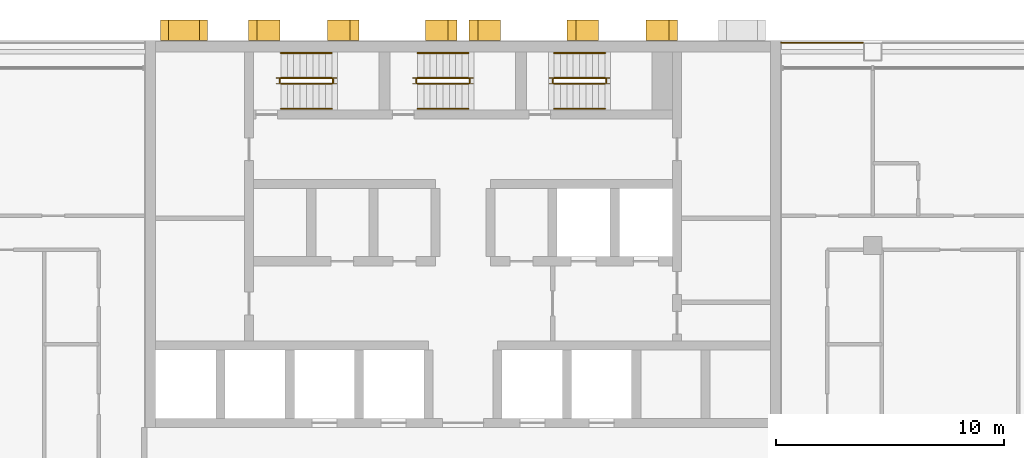
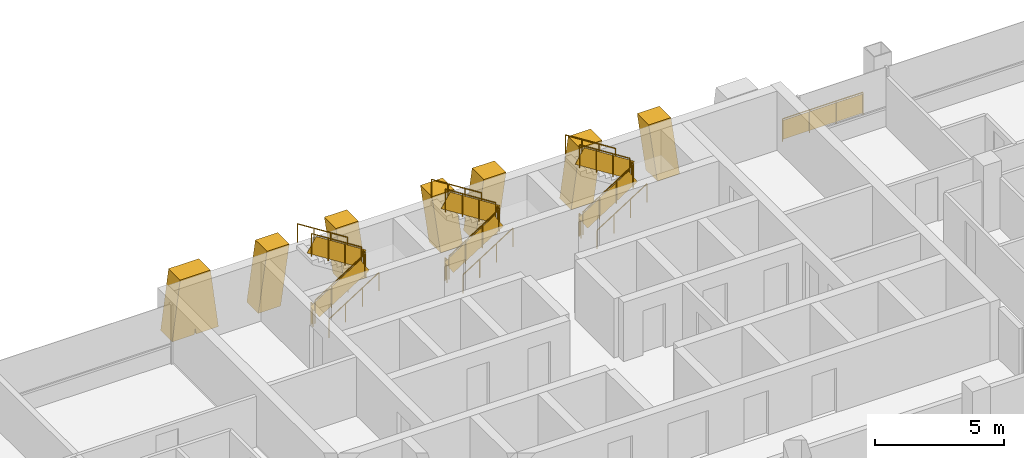
# One storey, part 16 of 17: 19 railings, 7 shading devices.
"""IFC4 building model written with IfcOpenShell, lengths in metres."""

from ifc_helpers import new_model, si_unit, direction, frame, origin, origin_2d, place, context, subcontext, project, spatial, polyline, rectangle, circle, outline, extrude, material, layer, layer_set, type_object, element, save


model = new_model("IFC4")

# Units and contexts
model_context = context("Model", 3, precision=1e-05, world=origin(), true_north=direction((0.0, 1.0)))
body_context = subcontext(model_context, "Body", "Model", "MODEL_VIEW")
ifc_project = project(units=[si_unit("LENGTHUNIT", "METRE"), si_unit("AREAUNIT", "SQUARE_METRE"), si_unit("VOLUMEUNIT", "CUBIC_METRE"), si_unit("PLANEANGLEUNIT", "RADIAN"), si_unit("MASSUNIT", "GRAM", prefix="KILO")], contexts=[model_context])

# Site, building, storey
site_placement = place(None, origin())
site = spatial("IfcSite", under=ifc_project, at=site_placement, CompositionType="ELEMENT")
building_placement = place(site_placement, origin())
building = spatial("IfcBuilding", under=site, at=building_placement, Name="Vidyagriha Tower", CompositionType="ELEMENT")
storey_placement = place(building_placement, frame((0.0, 0.0, 148.60009765625)))
storey = spatial("IfcBuildingStorey", under=building, at=storey_placement, Name="L39", CompositionType="ELEMENT", Elevation=148.60009765625)

# Shading devices
ifc_material_1 = material(Name="Precast concrete C40/50 with brick facing", Category="concrete")
ifc_layer_1 = layer(ifc_material_1, 1.0)
ifc_layer_set_1 = layer_set([ifc_layer_1], Name="Precast concrete C40/50 with brick facing")
shading_device_type_1 = type_object("IfcShadingDeviceType", Name="Brick-faced rear rib arm leaning 8 degrees", PredefinedType="USERDEFINED", material=ifc_layer_set_1)
shading_device_1_placement = place(storey_placement, frame((5.95703125, 20.449951171875, 0.0), z_axis=(0.0, 0.0, 1.0), x_axis=(-1.0, 0.0, 0.0)))
element("IfcShadingDevice", 1, at=shading_device_1_placement, inside=storey, type_object=shading_device_type_1, Name="Rear rib arm L39 R08.2a", ObjectType="BLADE FIN", PredefinedType="USERDEFINED", context=body_context, shape_type="SweptSolid", body=[
    extrude(outline(polyline([(0.3857421875, 0.0), (1.3857421875, 0.0), (1.0, 2.7998046875), (0.0, 2.7998046875), (0.3857421875, 0.0)])), frame((0.0, 0.449951171875, 0.0), z_axis=(0.0, -1.0, 0.0), x_axis=(1.0, 0.0, 0.0)), (0.0, 0.0, 1.0), 0.89990234375),
])
for number, where, z_axis, x_axis, name in (
    (2, (9.4287109375, 20.449951171875, 0.0), (0.0, 0.0, 1.0), (-1.0, 0.0, 0.0), "Rear rib arm L39 R08.2b"),
    (3, (-0.271484375, 20.449951171875, 0.0), (0.0, 0.0, 1.0), (-1.0, 0.0, 0.0), "Rear rib arm L39 R08.3a"),
):
    element("IfcShadingDevice", number, at=place(storey_placement, frame(where, z_axis=z_axis, x_axis=x_axis)), inside=storey, type_object=shading_device_type_1, Name=name, ObjectType="BLADE FIN", PredefinedType="USERDEFINED", context=body_context, shape_type="SweptSolid", body=[
        extrude(outline(polyline([(0.0, 0.0), (1.0, 0.0), (1.3857421875, 2.7998046875), (0.3857421875, 2.7998046875), (0.0, 0.0)])), frame((0.0, 0.449951171875, 0.0), z_axis=(0.0, -1.0, 0.0), x_axis=(1.0, 0.0, 0.0)), (0.0, 0.0, 1.0), 0.89990234375),
    ])
for number, where, z_axis, x_axis, name in (
    (4, (1.656982421875, 20.449951171875, 0.0), (0.0, 0.0, 1.0), (-1.0, 0.0, 0.0), "Rear rib arm L39 R08.3b"),
    (5, (-8.04296875, 20.449951171875, 0.0), (0.0, 0.0, 1.0), (-1.0, 0.0, 0.0), "Rear rib arm L39 R08.4a"),
):
    element("IfcShadingDevice", number, at=place(storey_placement, frame(where, z_axis=z_axis, x_axis=x_axis)), inside=storey, type_object=shading_device_type_1, Name=name, ObjectType="BLADE FIN", PredefinedType="USERDEFINED", context=body_context, shape_type="SweptSolid", body=[
        extrude(outline(polyline([(0.3857421875, 0.0), (1.3857421875, 0.0), (1.0, 2.7998046875), (0.0, 2.7998046875), (0.3857421875, 0.0)])), frame((0.0, 0.449951171875, 0.0), z_axis=(0.0, -1.0, 0.0), x_axis=(1.0, 0.0, 0.0)), (0.0, 0.0, 1.0), 0.89990234375),
    ])
shading_device_2_placement = place(storey_placement, frame((-4.5712890625, 20.449951171875, 0.0), z_axis=(0.0, 0.0, 1.0), x_axis=(-1.0, 0.0, 0.0)))
element("IfcShadingDevice", 6, at=shading_device_2_placement, inside=storey, type_object=shading_device_type_1, Name="Rear rib arm L39 R08.4b", ObjectType="BLADE FIN", PredefinedType="USERDEFINED", context=body_context, shape_type="SweptSolid", body=[
    extrude(outline(polyline([(0.0, 0.0), (1.0, 0.0), (1.3857421875, 2.7998046875), (0.3857421875, 2.7998046875), (0.0, 0.0)])), frame((0.0, 0.449951171875, 0.0), z_axis=(0.0, -1.0, 0.0), x_axis=(1.0, 0.0, 0.0)), (0.0, 0.0, 1.0), 0.89990234375),
])
ifc_material_2 = material(Name="Precast concrete C40/50 with brick facing", Category="concrete")
ifc_layer_2 = layer(ifc_material_2, 1.0)
ifc_layer_set_2 = layer_set([ifc_layer_2], Name="Precast concrete C40/50 with brick facing")
shading_device_type_2 = type_object("IfcShadingDeviceType", Name="Brick-faced rear rib forking 8 degrees", PredefinedType="USERDEFINED", material=ifc_layer_set_2)
shading_device_3_placement = place(storey_placement, frame((-11.21435546875, 20.449951171875, 0.0), z_axis=(0.0, 0.0, 1.0), x_axis=(-1.0, 0.0, 0.0)))
element("IfcShadingDevice", 7, at=shading_device_3_placement, inside=storey, type_object=shading_device_type_2, Name="Rear rib fork L39 R08.5a", ObjectType="BLADE FIN", PredefinedType="USERDEFINED", context=body_context, shape_type="SweptSolid", body=[
    extrude(outline(polyline([(1.0, 0.0), (1.03564453125, 0.27978515625), (1.0712890625, 0.0), (2.0712890625, 0.0), (1.71435546875, 2.7998046875), (0.357177734375, 2.7998046875), (0.0, 0.0), (1.0, 0.0)])), frame((0.0, 0.449951171875, 0.0), z_axis=(0.0, -1.0, 0.0), x_axis=(1.0, 0.0, 0.0)), (0.0, 0.0, 1.0), 0.89990234375),
])

# Railings
ifc_material_3 = material(Name="Steel ASTM A500 Grade C black painted", Category="steel")
railing_type_1 = type_object("IfcRailingType", Name="Gallery guard 1100", PredefinedType="GUARDRAIL", material=ifc_material_3)
railing_1_placement = place(storey_placement, frame((13.97998046875, 19.89990234375, 0.0)))
element("IfcRailing", 8, at=railing_1_placement, inside=storey, type_object=railing_type_1, Name="Gallery guard L39 9", PredefinedType="GUARDRAIL", context=body_context, shape_type="SweptSolid", body=[
    extrude(circle(Radius=0.02490234375, at=origin_2d()), frame((0.0, 0.0, 1.0751953125), z_axis=(1.0, 0.0, 0.0), x_axis=(0.0, 1.0, 0.0)), (0.0, 0.0, 1.0), 3.590087890625),
    extrude(circle(Radius=0.02001953125, at=origin_2d()), origin(), (0.0, 0.0, 1.0), 1.050048828125),
    extrude(circle(Radius=0.02001953125, at=origin_2d()), frame((1.19677734375, 0.0, 0.0)), (0.0, 0.0, 1.0), 1.050048828125),
    extrude(circle(Radius=0.02001953125, at=origin_2d()), frame((2.393310546875, 0.0, 0.0)), (0.0, 0.0, 1.0), 1.050048828125),
    extrude(circle(Radius=0.02001953125, at=origin_2d()), frame((3.590087890625, 0.0, 0.0)), (0.0, 0.0, 1.0), 1.050048828125),
    extrude(rectangle(XDim=0.010009765625, YDim=0.900146484375, at=origin_2d()), frame((0.0, 0.0, 0.550048828125), z_axis=(1.0, 0.0, 0.0), x_axis=(0.0, 1.0, 0.0)), (0.0, 0.0, 1.0), 3.590087890625),
])
ifc_material_4 = material(Name="Steel ASTM A500 Grade C", Category="steel")
railing_type_2 = type_object("IfcRailingType", Name="Stair guard 1100 mm, steel balustrade", PredefinedType="GUARDRAIL", material=ifc_material_4)
railing_2_placement = place(storey_placement, frame((-8.0, 18.10009765625, 0.177734375)))
element("IfcRailing", 9, at=railing_2_placement, inside=storey, type_object=railing_type_2, Name="L39 ST1 stair guard 1", PredefinedType="GUARDRAIL", context=body_context, shape_type="SweptSolid", body=[
    extrude(circle(Radius=0.02392578125, at=origin_2d()), frame((0.0, 0.0, 1.076171875), z_axis=(0.8442293374, 0.0, 0.53598211339), x_axis=(0.0, 1.0, 0.0)), (0.0, 0.0, 1.0), 2.6533203125),
    extrude(circle(Radius=0.02099609375, at=origin_2d()), origin(), (0.0, 0.0, 1.0), 1.052001953125),
    extrude(circle(Radius=0.02099609375, at=origin_2d()), frame((0.74658203125, 0.0, 0.47412109375)), (0.0, 0.0, 1.0), 1.052001953125),
    extrude(circle(Radius=0.02099609375, at=origin_2d()), frame((1.493408203125, 0.0, 0.947998046875)), (0.0, 0.0, 1.0), 1.052001953125),
    extrude(circle(Radius=0.02099609375, at=origin_2d()), frame((2.239990234375, 0.0, 1.422119140625)), (0.0, 0.0, 1.0), 1.052001953125),
    extrude(rectangle(XDim=0.010009765625, YDim=0.761474609375, at=origin_2d()), frame((0.0, 0.0, 0.551025390625), z_axis=(0.8442293374, 0.0, 0.53598211339), x_axis=(0.0, 1.0, 0.0)), (0.0, 0.0, 1.0), 2.6533203125),
])
railing_3_placement = place(storey_placement, frame((-5.7099609375, 18.14990234375, 1.599853515625)))
element("IfcRailing", 10, at=railing_3_placement, inside=storey, type_object=railing_type_2, Name="L39 ST1 stair guard 2", PredefinedType="GUARDRAIL", context=body_context, shape_type="SweptSolid", body=[
    extrude(circle(Radius=0.02392578125, at=origin_2d()), frame((0.0, 0.0, 1.076171875), z_axis=(0.0, 1.0, 0.0), x_axis=(-1.0, 0.0, 0.0)), (0.0, 0.0, 1.0), 0.150146484375),
    extrude(circle(Radius=0.02099609375, at=origin_2d()), origin(), (0.0, 0.0, 1.0), 1.052001953125),
    extrude(circle(Radius=0.02099609375, at=origin_2d()), frame((0.0, 0.150146484375, 0.0)), (0.0, 0.0, 1.0), 1.052001953125),
    extrude(rectangle(XDim=0.010009765625, YDim=0.902099609375, at=origin_2d()), frame((0.0, 0.0, 0.551025390625), z_axis=(0.0, 1.0, 0.0), x_axis=(-1.0, 0.0, 0.0)), (0.0, 0.0, 1.0), 0.150146484375),
])
railing_4_placement = place(storey_placement, frame((-5.760009765625, 18.35009765625, 1.777587890625)))
element("IfcRailing", 11, at=railing_4_placement, inside=storey, type_object=railing_type_2, Name="L39 ST1 stair guard 3", PredefinedType="GUARDRAIL", context=body_context, shape_type="SweptSolid", body=[
    extrude(circle(Radius=0.02392578125, at=origin_2d()), frame((0.0, 0.0, 1.076171875), z_axis=(-0.84418770128, 0.0, 0.536047689118), x_axis=(0.0, -1.0, 0.0)), (0.0, 0.0, 1.0), 2.6533203125),
    extrude(circle(Radius=0.02099609375, at=origin_2d()), origin(), (0.0, 0.0, 1.0), 1.052001953125),
    extrude(circle(Radius=0.02099609375, at=origin_2d()), frame((-0.74658203125, 0.0, 0.47412109375)), (0.0, 0.0, 1.0), 1.052001953125),
    extrude(circle(Radius=0.02099609375, at=origin_2d()), frame((-1.493408203125, 0.0, 0.9482421875)), (0.0, 0.0, 1.0), 1.052001953125),
    extrude(circle(Radius=0.02099609375, at=origin_2d()), frame((-2.239990234375, 0.0, 1.42236328125)), (0.0, 0.0, 1.0), 1.052001953125),
    extrude(rectangle(XDim=0.010009765625, YDim=0.761474609375, at=origin_2d()), frame((0.0, 0.0, 0.551025390625), z_axis=(-0.84418770128, 0.0, 0.536047689118), x_axis=(0.0, -1.0, 0.0)), (0.0, 0.0, 1.0), 2.6533203125),
])
railing_5_placement = place(storey_placement, frame((-8.050048828125, 18.14990234375, 0.0)))
element("IfcRailing", 12, at=railing_5_placement, inside=storey, type_object=railing_type_2, Name="L39 ST1 stair guard 4", PredefinedType="GUARDRAIL", context=body_context, shape_type="SweptSolid", body=[
    extrude(circle(Radius=0.02392578125, at=origin_2d()), frame((0.0, 0.0, 1.076171875), z_axis=(0.0, 1.0, 0.0), x_axis=(-1.0, 0.0, 0.0)), (0.0, 0.0, 1.0), 0.150146484375),
    extrude(circle(Radius=0.02099609375, at=origin_2d()), origin(), (0.0, 0.0, 1.0), 1.052001953125),
    extrude(circle(Radius=0.02099609375, at=origin_2d()), frame((0.0, 0.150146484375, 0.0)), (0.0, 0.0, 1.0), 1.052001953125),
    extrude(rectangle(XDim=0.010009765625, YDim=0.902099609375, at=origin_2d()), frame((0.0, 0.0, 0.551025390625), z_axis=(0.0, 1.0, 0.0), x_axis=(-1.0, 0.0, 0.0)), (0.0, 0.0, 1.0), 0.150146484375),
])
railing_6_placement = place(storey_placement, frame((-2.0, 18.10009765625, 0.177734375)))
element("IfcRailing", 13, at=railing_6_placement, inside=storey, type_object=railing_type_2, Name="L39 ST2 stair guard 1", PredefinedType="GUARDRAIL", context=body_context, shape_type="SweptSolid", body=[
    extrude(circle(Radius=0.02392578125, at=origin_2d()), frame((0.0, 0.0, 1.076171875), z_axis=(0.8442293374, 0.0, 0.53598211339), x_axis=(0.0, 1.0, 0.0)), (0.0, 0.0, 1.0), 2.6533203125),
    extrude(circle(Radius=0.02099609375, at=origin_2d()), origin(), (0.0, 0.0, 1.0), 1.052001953125),
    extrude(circle(Radius=0.02099609375, at=origin_2d()), frame((0.74658203125, 0.0, 0.47412109375)), (0.0, 0.0, 1.0), 1.052001953125),
    extrude(circle(Radius=0.02099609375, at=origin_2d()), frame((1.493408203125, 0.0, 0.947998046875)), (0.0, 0.0, 1.0), 1.052001953125),
    extrude(circle(Radius=0.02099609375, at=origin_2d()), frame((2.239990234375, 0.0, 1.422119140625)), (0.0, 0.0, 1.0), 1.052001953125),
    extrude(rectangle(XDim=0.010009765625, YDim=0.761474609375, at=origin_2d()), frame((0.0, 0.0, 0.551025390625), z_axis=(0.8442293374, 0.0, 0.53598211339), x_axis=(0.0, 1.0, 0.0)), (0.0, 0.0, 1.0), 2.6533203125),
])
railing_7_placement = place(storey_placement, frame((0.2900390625, 18.14990234375, 1.599853515625)))
element("IfcRailing", 14, at=railing_7_placement, inside=storey, type_object=railing_type_2, Name="L39 ST2 stair guard 2", PredefinedType="GUARDRAIL", context=body_context, shape_type="SweptSolid", body=[
    extrude(circle(Radius=0.02392578125, at=origin_2d()), frame((0.0, 0.0, 1.076171875), z_axis=(0.0, 1.0, 0.0), x_axis=(-1.0, 0.0, 0.0)), (0.0, 0.0, 1.0), 0.150146484375),
    extrude(circle(Radius=0.02099609375, at=origin_2d()), origin(), (0.0, 0.0, 1.0), 1.052001953125),
    extrude(circle(Radius=0.02099609375, at=origin_2d()), frame((0.0, 0.150146484375, 0.0)), (0.0, 0.0, 1.0), 1.052001953125),
    extrude(rectangle(XDim=0.010009765625, YDim=0.902099609375, at=origin_2d()), frame((0.0, 0.0, 0.551025390625), z_axis=(0.0, 1.0, 0.0), x_axis=(-1.0, 0.0, 0.0)), (0.0, 0.0, 1.0), 0.150146484375),
])
railing_8_placement = place(storey_placement, frame((0.239990234375, 18.35009765625, 1.777587890625)))
element("IfcRailing", 15, at=railing_8_placement, inside=storey, type_object=railing_type_2, Name="L39 ST2 stair guard 3", PredefinedType="GUARDRAIL", context=body_context, shape_type="SweptSolid", body=[
    extrude(circle(Radius=0.02392578125, at=origin_2d()), frame((0.0, 0.0, 1.076171875), z_axis=(-0.84418770128, 0.0, 0.536047689118), x_axis=(0.0, -1.0, 0.0)), (0.0, 0.0, 1.0), 2.6533203125),
    extrude(circle(Radius=0.02099609375, at=origin_2d()), origin(), (0.0, 0.0, 1.0), 1.052001953125),
    extrude(circle(Radius=0.02099609375, at=origin_2d()), frame((-0.74658203125, 0.0, 0.47412109375)), (0.0, 0.0, 1.0), 1.052001953125),
    extrude(circle(Radius=0.02099609375, at=origin_2d()), frame((-1.493408203125, 0.0, 0.9482421875)), (0.0, 0.0, 1.0), 1.052001953125),
    extrude(circle(Radius=0.02099609375, at=origin_2d()), frame((-2.239990234375, 0.0, 1.42236328125)), (0.0, 0.0, 1.0), 1.052001953125),
    extrude(rectangle(XDim=0.010009765625, YDim=0.761474609375, at=origin_2d()), frame((0.0, 0.0, 0.551025390625), z_axis=(-0.84418770128, 0.0, 0.536047689118), x_axis=(0.0, -1.0, 0.0)), (0.0, 0.0, 1.0), 2.6533203125),
])
railing_9_placement = place(storey_placement, frame((-2.050048828125, 18.14990234375, 0.0)))
element("IfcRailing", 16, at=railing_9_placement, inside=storey, type_object=railing_type_2, Name="L39 ST2 stair guard 4", PredefinedType="GUARDRAIL", context=body_context, shape_type="SweptSolid", body=[
    extrude(circle(Radius=0.02392578125, at=origin_2d()), frame((0.0, 0.0, 1.076171875), z_axis=(0.0, 1.0, 0.0), x_axis=(-1.0, 0.0, 0.0)), (0.0, 0.0, 1.0), 0.150146484375),
    extrude(circle(Radius=0.02099609375, at=origin_2d()), origin(), (0.0, 0.0, 1.0), 1.052001953125),
    extrude(circle(Radius=0.02099609375, at=origin_2d()), frame((0.0, 0.150146484375, 0.0)), (0.0, 0.0, 1.0), 1.052001953125),
    extrude(rectangle(XDim=0.010009765625, YDim=0.902099609375, at=origin_2d()), frame((0.0, 0.0, 0.551025390625), z_axis=(0.0, 1.0, 0.0), x_axis=(-1.0, 0.0, 0.0)), (0.0, 0.0, 1.0), 0.150146484375),
])
railing_10_placement = place(storey_placement, frame((4.0, 18.10009765625, 0.177734375)))
element("IfcRailing", 17, at=railing_10_placement, inside=storey, type_object=railing_type_2, Name="L39 ST3 stair guard 1", PredefinedType="GUARDRAIL", context=body_context, shape_type="SweptSolid", body=[
    extrude(circle(Radius=0.02392578125, at=origin_2d()), frame((0.0, 0.0, 1.076171875), z_axis=(0.8442293374, 0.0, 0.53598211339), x_axis=(0.0, 1.0, 0.0)), (0.0, 0.0, 1.0), 2.6533203125),
    extrude(circle(Radius=0.02099609375, at=origin_2d()), origin(), (0.0, 0.0, 1.0), 1.052001953125),
    extrude(circle(Radius=0.02099609375, at=origin_2d()), frame((0.74658203125, 0.0, 0.47412109375)), (0.0, 0.0, 1.0), 1.052001953125),
    extrude(circle(Radius=0.02099609375, at=origin_2d()), frame((1.493408203125, 0.0, 0.947998046875)), (0.0, 0.0, 1.0), 1.052001953125),
    extrude(circle(Radius=0.02099609375, at=origin_2d()), frame((2.239990234375, 0.0, 1.422119140625)), (0.0, 0.0, 1.0), 1.052001953125),
    extrude(rectangle(XDim=0.010009765625, YDim=0.761474609375, at=origin_2d()), frame((0.0, 0.0, 0.551025390625), z_axis=(0.8442293374, 0.0, 0.53598211339), x_axis=(0.0, 1.0, 0.0)), (0.0, 0.0, 1.0), 2.6533203125),
])
railing_11_placement = place(storey_placement, frame((6.2900390625, 18.14990234375, 1.599853515625)))
element("IfcRailing", 18, at=railing_11_placement, inside=storey, type_object=railing_type_2, Name="L39 ST3 stair guard 2", PredefinedType="GUARDRAIL", context=body_context, shape_type="SweptSolid", body=[
    extrude(circle(Radius=0.02392578125, at=origin_2d()), frame((0.0, 0.0, 1.076171875), z_axis=(0.0, 1.0, 0.0), x_axis=(-1.0, 0.0, 0.0)), (0.0, 0.0, 1.0), 0.150146484375),
    extrude(circle(Radius=0.02099609375, at=origin_2d()), origin(), (0.0, 0.0, 1.0), 1.052001953125),
    extrude(circle(Radius=0.02099609375, at=origin_2d()), frame((0.0, 0.150146484375, 0.0)), (0.0, 0.0, 1.0), 1.052001953125),
    extrude(rectangle(XDim=0.010009765625, YDim=0.902099609375, at=origin_2d()), frame((0.0, 0.0, 0.551025390625), z_axis=(0.0, 1.0, 0.0), x_axis=(-1.0, 0.0, 0.0)), (0.0, 0.0, 1.0), 0.150146484375),
])
railing_12_placement = place(storey_placement, frame((6.239990234375, 18.35009765625, 1.777587890625)))
element("IfcRailing", 19, at=railing_12_placement, inside=storey, type_object=railing_type_2, Name="L39 ST3 stair guard 3", PredefinedType="GUARDRAIL", context=body_context, shape_type="SweptSolid", body=[
    extrude(circle(Radius=0.02392578125, at=origin_2d()), frame((0.0, 0.0, 1.076171875), z_axis=(-0.84418770128, 0.0, 0.536047689118), x_axis=(0.0, -1.0, 0.0)), (0.0, 0.0, 1.0), 2.6533203125),
    extrude(circle(Radius=0.02099609375, at=origin_2d()), origin(), (0.0, 0.0, 1.0), 1.052001953125),
    extrude(circle(Radius=0.02099609375, at=origin_2d()), frame((-0.74658203125, 0.0, 0.47412109375)), (0.0, 0.0, 1.0), 1.052001953125),
    extrude(circle(Radius=0.02099609375, at=origin_2d()), frame((-1.493408203125, 0.0, 0.9482421875)), (0.0, 0.0, 1.0), 1.052001953125),
    extrude(circle(Radius=0.02099609375, at=origin_2d()), frame((-2.239990234375, 0.0, 1.42236328125)), (0.0, 0.0, 1.0), 1.052001953125),
    extrude(rectangle(XDim=0.010009765625, YDim=0.761474609375, at=origin_2d()), frame((0.0, 0.0, 0.551025390625), z_axis=(-0.84418770128, 0.0, 0.536047689118), x_axis=(0.0, -1.0, 0.0)), (0.0, 0.0, 1.0), 2.6533203125),
])
railing_13_placement = place(storey_placement, frame((3.949951171875, 18.14990234375, 0.0)))
element("IfcRailing", 20, at=railing_13_placement, inside=storey, type_object=railing_type_2, Name="L39 ST3 stair guard 4", PredefinedType="GUARDRAIL", context=body_context, shape_type="SweptSolid", body=[
    extrude(circle(Radius=0.02392578125, at=origin_2d()), frame((0.0, 0.0, 1.076171875), z_axis=(0.0, 1.0, 0.0), x_axis=(-1.0, 0.0, 0.0)), (0.0, 0.0, 1.0), 0.150146484375),
    extrude(circle(Radius=0.02099609375, at=origin_2d()), origin(), (0.0, 0.0, 1.0), 1.052001953125),
    extrude(circle(Radius=0.02099609375, at=origin_2d()), frame((0.0, 0.150146484375, 0.0)), (0.0, 0.0, 1.0), 1.052001953125),
    extrude(rectangle(XDim=0.010009765625, YDim=0.902099609375, at=origin_2d()), frame((0.0, 0.0, 0.551025390625), z_axis=(0.0, 1.0, 0.0), x_axis=(-1.0, 0.0, 0.0)), (0.0, 0.0, 1.0), 0.150146484375),
])
ifc_material_5 = material(Name="Steel ASTM A500 Grade C", Category="steel")
railing_type_3 = type_object("IfcRailingType", Name="Stair handrail 900 mm, steel", PredefinedType="HANDRAIL", material=ifc_material_5)
railing_14_placement = place(storey_placement, frame((-8.0, 17.0, 0.177734375)))
element("IfcRailing", 21, at=railing_14_placement, inside=storey, type_object=railing_type_3, Name="L39 ST1 stair handrail 1", PredefinedType="HANDRAIL", context=body_context, shape_type="SweptSolid", body=[
    extrude(circle(Radius=0.02392578125, at=origin_2d()), frame((0.0, 0.0, 0.8759765625), z_axis=(0.8442293374, 0.0, 0.53598211339), x_axis=(0.0, 1.0, 0.0)), (0.0, 0.0, 1.0), 2.6533203125),
    extrude(circle(Radius=0.02099609375, at=origin_2d()), origin(), (0.0, 0.0, 1.0), 0.851806640625),
    extrude(circle(Radius=0.02099609375, at=origin_2d()), frame((0.74658203125, 0.0, 0.47412109375)), (0.0, 0.0, 1.0), 0.851806640625),
    extrude(circle(Radius=0.02099609375, at=origin_2d()), frame((1.493408203125, 0.0, 0.947998046875)), (0.0, 0.0, 1.0), 0.851806640625),
    extrude(circle(Radius=0.02099609375, at=origin_2d()), frame((2.239990234375, 0.0, 1.422119140625)), (0.0, 0.0, 1.0), 0.851806640625),
])
railing_15_placement = place(storey_placement, frame((-5.760009765625, 19.449951171875, 1.777587890625)))
element("IfcRailing", 22, at=railing_15_placement, inside=storey, type_object=railing_type_3, Name="L39 ST1 stair handrail 2", PredefinedType="HANDRAIL", context=body_context, shape_type="SweptSolid", body=[
    extrude(circle(Radius=0.02392578125, at=origin_2d()), frame((0.0, 0.0, 0.8759765625), z_axis=(-0.84418770128, 0.0, 0.536047689118), x_axis=(0.0, -1.0, 0.0)), (0.0, 0.0, 1.0), 2.6533203125),
    extrude(circle(Radius=0.02099609375, at=origin_2d()), origin(), (0.0, 0.0, 1.0), 0.851806640625),
    extrude(circle(Radius=0.02099609375, at=origin_2d()), frame((-0.74658203125, 0.0, 0.47412109375)), (0.0, 0.0, 1.0), 0.851806640625),
    extrude(circle(Radius=0.02099609375, at=origin_2d()), frame((-1.493408203125, 0.0, 0.9482421875)), (0.0, 0.0, 1.0), 0.851806640625),
    extrude(circle(Radius=0.02099609375, at=origin_2d()), frame((-2.239990234375, 0.0, 1.42236328125)), (0.0, 0.0, 1.0), 0.851806640625),
])
railing_16_placement = place(storey_placement, frame((-2.0, 17.0, 0.177734375)))
element("IfcRailing", 23, at=railing_16_placement, inside=storey, type_object=railing_type_3, Name="L39 ST2 stair handrail 1", PredefinedType="HANDRAIL", context=body_context, shape_type="SweptSolid", body=[
    extrude(circle(Radius=0.02392578125, at=origin_2d()), frame((0.0, 0.0, 0.8759765625), z_axis=(0.8442293374, 0.0, 0.53598211339), x_axis=(0.0, 1.0, 0.0)), (0.0, 0.0, 1.0), 2.6533203125),
    extrude(circle(Radius=0.02099609375, at=origin_2d()), origin(), (0.0, 0.0, 1.0), 0.851806640625),
    extrude(circle(Radius=0.02099609375, at=origin_2d()), frame((0.74658203125, 0.0, 0.47412109375)), (0.0, 0.0, 1.0), 0.851806640625),
    extrude(circle(Radius=0.02099609375, at=origin_2d()), frame((1.493408203125, 0.0, 0.947998046875)), (0.0, 0.0, 1.0), 0.851806640625),
    extrude(circle(Radius=0.02099609375, at=origin_2d()), frame((2.239990234375, 0.0, 1.422119140625)), (0.0, 0.0, 1.0), 0.851806640625),
])
railing_17_placement = place(storey_placement, frame((0.239990234375, 19.449951171875, 1.777587890625)))
element("IfcRailing", 24, at=railing_17_placement, inside=storey, type_object=railing_type_3, Name="L39 ST2 stair handrail 2", PredefinedType="HANDRAIL", context=body_context, shape_type="SweptSolid", body=[
    extrude(circle(Radius=0.02392578125, at=origin_2d()), frame((0.0, 0.0, 0.8759765625), z_axis=(-0.84418770128, 0.0, 0.536047689118), x_axis=(0.0, -1.0, 0.0)), (0.0, 0.0, 1.0), 2.6533203125),
    extrude(circle(Radius=0.02099609375, at=origin_2d()), origin(), (0.0, 0.0, 1.0), 0.851806640625),
    extrude(circle(Radius=0.02099609375, at=origin_2d()), frame((-0.74658203125, 0.0, 0.47412109375)), (0.0, 0.0, 1.0), 0.851806640625),
    extrude(circle(Radius=0.02099609375, at=origin_2d()), frame((-1.493408203125, 0.0, 0.9482421875)), (0.0, 0.0, 1.0), 0.851806640625),
    extrude(circle(Radius=0.02099609375, at=origin_2d()), frame((-2.239990234375, 0.0, 1.42236328125)), (0.0, 0.0, 1.0), 0.851806640625),
])
railing_18_placement = place(storey_placement, frame((4.0, 17.0, 0.177734375)))
element("IfcRailing", 25, at=railing_18_placement, inside=storey, type_object=railing_type_3, Name="L39 ST3 stair handrail 1", PredefinedType="HANDRAIL", context=body_context, shape_type="SweptSolid", body=[
    extrude(circle(Radius=0.02392578125, at=origin_2d()), frame((0.0, 0.0, 0.8759765625), z_axis=(0.8442293374, 0.0, 0.53598211339), x_axis=(0.0, 1.0, 0.0)), (0.0, 0.0, 1.0), 2.6533203125),
    extrude(circle(Radius=0.02099609375, at=origin_2d()), origin(), (0.0, 0.0, 1.0), 0.851806640625),
    extrude(circle(Radius=0.02099609375, at=origin_2d()), frame((0.74658203125, 0.0, 0.47412109375)), (0.0, 0.0, 1.0), 0.851806640625),
    extrude(circle(Radius=0.02099609375, at=origin_2d()), frame((1.493408203125, 0.0, 0.947998046875)), (0.0, 0.0, 1.0), 0.851806640625),
    extrude(circle(Radius=0.02099609375, at=origin_2d()), frame((2.239990234375, 0.0, 1.422119140625)), (0.0, 0.0, 1.0), 0.851806640625),
])
railing_19_placement = place(storey_placement, frame((6.239990234375, 19.449951171875, 1.777587890625)))
element("IfcRailing", 26, at=railing_19_placement, inside=storey, type_object=railing_type_3, Name="L39 ST3 stair handrail 2", PredefinedType="HANDRAIL", context=body_context, shape_type="SweptSolid", body=[
    extrude(circle(Radius=0.02392578125, at=origin_2d()), frame((0.0, 0.0, 0.8759765625), z_axis=(-0.84418770128, 0.0, 0.536047689118), x_axis=(0.0, -1.0, 0.0)), (0.0, 0.0, 1.0), 2.6533203125),
    extrude(circle(Radius=0.02099609375, at=origin_2d()), origin(), (0.0, 0.0, 1.0), 0.851806640625),
    extrude(circle(Radius=0.02099609375, at=origin_2d()), frame((-0.74658203125, 0.0, 0.47412109375)), (0.0, 0.0, 1.0), 0.851806640625),
    extrude(circle(Radius=0.02099609375, at=origin_2d()), frame((-1.493408203125, 0.0, 0.9482421875)), (0.0, 0.0, 1.0), 0.851806640625),
    extrude(circle(Radius=0.02099609375, at=origin_2d()), frame((-2.239990234375, 0.0, 1.42236328125)), (0.0, 0.0, 1.0), 0.851806640625),
])

save(model, "model.ifc")
